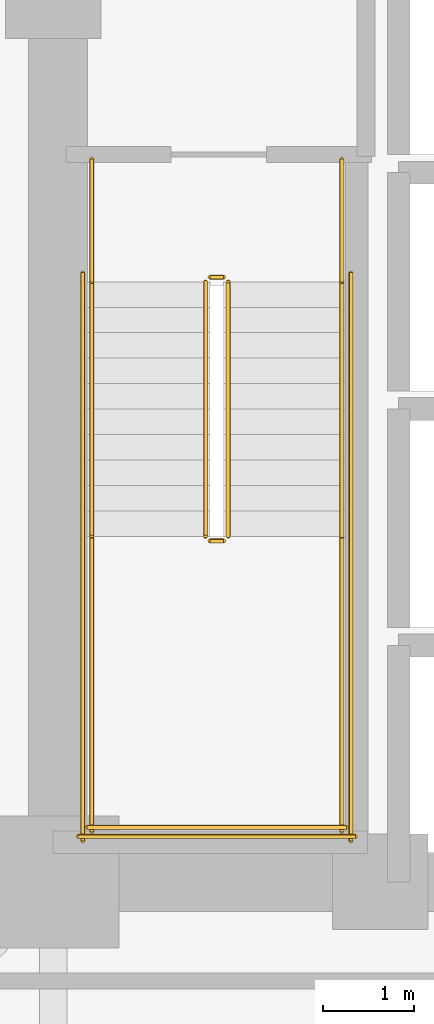
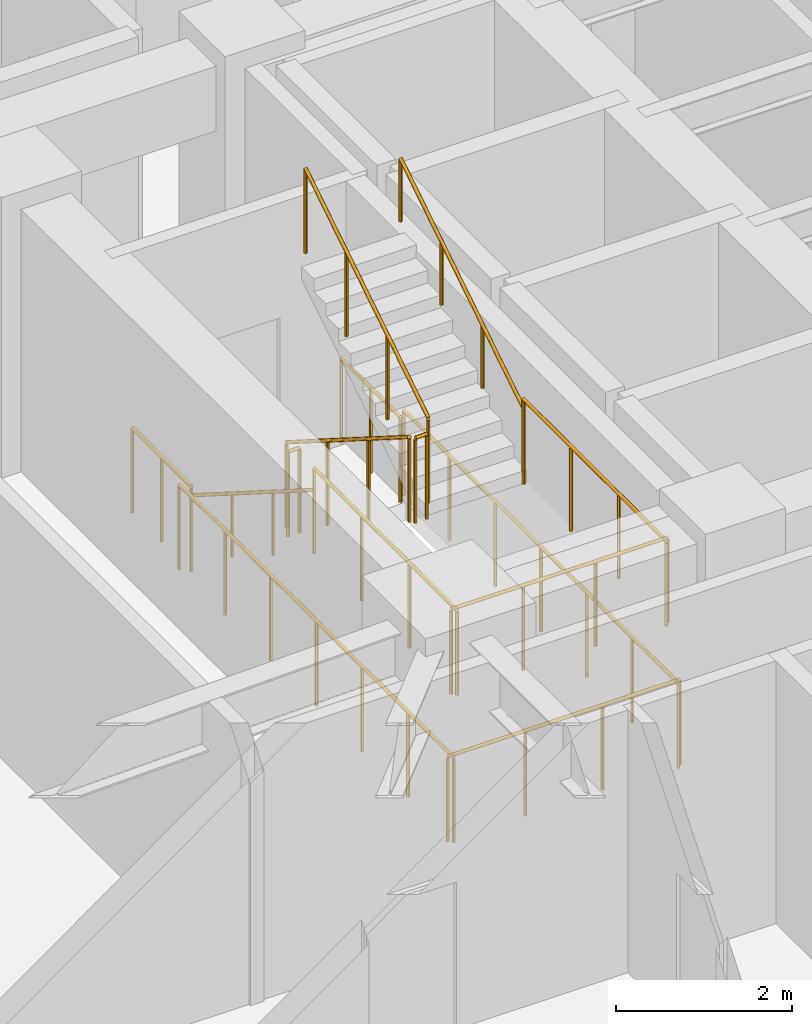
# One storey, part 10 of 11: 14 railings.
"""IFC4 building model written with IfcOpenShell, lengths in metres."""

from ifc_helpers import new_model, si_unit, direction, frame, origin, origin_2d, place, context, subcontext, project, spatial, circle, extrude, material, type_object, element, save


model = new_model("IFC4")

# Units and contexts
model_context = context("Model", 3, precision=1e-05, world=origin(), true_north=direction((0.0, 1.0)))
body_context = subcontext(model_context, "Body", "Model", "MODEL_VIEW")
ifc_project = project(units=[si_unit("LENGTHUNIT", "METRE"), si_unit("AREAUNIT", "SQUARE_METRE"), si_unit("VOLUMEUNIT", "CUBIC_METRE"), si_unit("PLANEANGLEUNIT", "RADIAN"), si_unit("MASSUNIT", "GRAM", prefix="KILO")], contexts=[model_context])

# Site, building, storey
site_placement = place(None, origin())
site = spatial("IfcSite", under=ifc_project, at=site_placement, CompositionType="ELEMENT")
building_placement = place(site_placement, origin())
building = spatial("IfcBuilding", under=site, at=building_placement, Name="Voryun Gate Residences", CompositionType="ELEMENT")
storey_placement = place(building_placement, frame((0.0, 0.0, 45.5)))
storey = spatial("IfcBuildingStorey", under=building, at=storey_placement, Name="L10", CompositionType="ELEMENT", Elevation=45.5)

# Railings
ifc_material_1 = material(Name="Painted steel", Category="steel")
railing_type_1 = type_object("IfcRailingType", Name="RAIL_STAIR_GUARD_1200", PredefinedType="GUARDRAIL", material=ifc_material_1)
railing_1_placement = place(storey_placement, frame((-17.52490234375, -0.800048828125, 0.17724609375)))
element("IfcRailing", 1, at=railing_1_placement, inside=storey, type_object=railing_type_1, Name="L10 ST-W1 stair guard 1", PredefinedType="GUARDRAIL", context=body_context, shape_type="SweptSolid", body=[
    extrude(circle(Radius=0.02392578125, at=origin_2d()), frame((0.0, 0.0, 1.17578125), z_axis=(0.0, -0.844908973607, 0.534910110503), x_axis=(1.0, 0.0, 0.0)), (0.0, 0.0, 1.0), 3.31396484375),
    extrude(circle(Radius=0.02099609375, at=origin_2d()), origin(), (0.0, 0.0, 1.0), 1.15185546875),
    extrude(circle(Radius=0.02099609375, at=origin_2d()), frame((0.0, -0.933349609375, 0.5908203125)), (0.0, 0.0, 1.0), 1.15185546875),
    extrude(circle(Radius=0.02099609375, at=origin_2d()), frame((0.0, -1.86669921875, 1.181884765625)), (0.0, 0.0, 1.0), 1.15185546875),
    extrude(circle(Radius=0.02099609375, at=origin_2d()), frame((0.0, -2.800048828125, 1.772705078125)), (0.0, 0.0, 1.0), 1.15185546875),
])
railing_2_placement = place(storey_placement, frame((-17.47509765625, -3.64990234375, 1.949951171875)))
element("IfcRailing", 2, at=railing_2_placement, inside=storey, type_object=railing_type_1, Name="L10 ST-W1 stair guard 2", PredefinedType="GUARDRAIL", context=body_context, shape_type="SweptSolid", body=[
    extrude(circle(Radius=0.02392578125, at=origin_2d()), frame((0.0, 0.0, 1.17578125), z_axis=(1.0, 0.0, 0.0), x_axis=(0.0, 1.0, 0.0)), (0.0, 0.0, 1.0), 0.150146484375),
    extrude(circle(Radius=0.02099609375, at=origin_2d()), origin(), (0.0, 0.0, 1.0), 1.15185546875),
    extrude(circle(Radius=0.02099609375, at=origin_2d()), frame((0.150146484375, 0.0, 0.0)), (0.0, 0.0, 1.0), 1.15185546875),
])
for number, where, name in (
    (3, (-18.77490234375, -3.60009765625, 1.949951171875), "L10 ST-W1 stair guard 3"),
    (4, (-16.02490234375, -3.60009765625, 1.949951171875), "L10 ST-W1 stair guard 4"),
):
    element("IfcRailing", number, at=place(storey_placement, frame(where)), inside=storey, type_object=railing_type_1, Name=name, PredefinedType="GUARDRAIL", context=body_context, shape_type="SweptSolid", body=[
        extrude(circle(Radius=0.02392578125, at=origin_2d()), frame((0.0, 0.0, 1.17578125), z_axis=(0.0, -1.0, 0.0), x_axis=(1.0, 0.0, 0.0)), (0.0, 0.0, 1.0), 3.25),
        extrude(circle(Radius=0.02099609375, at=origin_2d()), origin(), (0.0, 0.0, 1.0), 1.15185546875),
        extrude(circle(Radius=0.02099609375, at=origin_2d()), frame((0.0, -1.083251953125, 0.0)), (0.0, 0.0, 1.0), 1.15185546875),
        extrude(circle(Radius=0.02099609375, at=origin_2d()), frame((0.0, -2.166748046875, 0.0)), (0.0, 0.0, 1.0), 1.15185546875),
        extrude(circle(Radius=0.02099609375, at=origin_2d()), frame((0.0, -3.25, 0.0)), (0.0, 0.0, 1.0), 1.15185546875),
    ])
railing_3_placement = place(storey_placement, frame((-18.824951171875, -6.800048828125, 1.949951171875)))
element("IfcRailing", 5, at=railing_3_placement, inside=storey, type_object=railing_type_1, Name="L10 ST-W1 stair guard 5", PredefinedType="GUARDRAIL", context=body_context, shape_type="SweptSolid", body=[
    extrude(circle(Radius=0.02392578125, at=origin_2d()), frame((0.0, 0.0, 1.17578125), z_axis=(1.0, 0.0, 0.0), x_axis=(0.0, 1.0, 0.0)), (0.0, 0.0, 1.0), 2.849853515625),
    extrude(circle(Radius=0.02099609375, at=origin_2d()), origin(), (0.0, 0.0, 1.0), 1.15185546875),
    extrude(circle(Radius=0.02099609375, at=origin_2d()), frame((0.949951171875, 0.0, 0.0)), (0.0, 0.0, 1.0), 1.15185546875),
    extrude(circle(Radius=0.02099609375, at=origin_2d()), frame((1.89990234375, 0.0, 0.0)), (0.0, 0.0, 1.0), 1.15185546875),
    extrude(circle(Radius=0.02099609375, at=origin_2d()), frame((2.849853515625, 0.0, 0.0)), (0.0, 0.0, 1.0), 1.15185546875),
])
railing_4_placement = place(storey_placement, frame((-17.27490234375, -3.60009765625, 2.127197265625)))
element("IfcRailing", 6, at=railing_4_placement, inside=storey, type_object=railing_type_1, Name="L10 ST-W1 stair guard 6", PredefinedType="GUARDRAIL", context=body_context, shape_type="SweptSolid", body=[
    extrude(circle(Radius=0.02392578125, at=origin_2d()), frame((0.0, 0.0, 1.17578125), z_axis=(0.0, 0.844908973607, 0.534910110503), x_axis=(-1.0, 0.0, 0.0)), (0.0, 0.0, 1.0), 3.31396484375),
    extrude(circle(Radius=0.02099609375, at=origin_2d()), origin(), (0.0, 0.0, 1.0), 1.15185546875),
    extrude(circle(Radius=0.02099609375, at=origin_2d()), frame((0.0, 0.933349609375, 0.5908203125)), (0.0, 0.0, 1.0), 1.15185546875),
    extrude(circle(Radius=0.02099609375, at=origin_2d()), frame((0.0, 1.86669921875, 1.181884765625)), (0.0, 0.0, 1.0), 1.15185546875),
    extrude(circle(Radius=0.02099609375, at=origin_2d()), frame((0.0, 2.800048828125, 1.772705078125)), (0.0, 0.0, 1.0), 1.15185546875),
])
railing_5_placement = place(storey_placement, frame((-17.47509765625, -0.75, 0.0)))
element("IfcRailing", 7, at=railing_5_placement, inside=storey, type_object=railing_type_1, Name="L10 ST-W1 stair guard 7", PredefinedType="GUARDRAIL", context=body_context, shape_type="SweptSolid", body=[
    extrude(circle(Radius=0.02392578125, at=origin_2d()), frame((0.0, 0.0, 1.17578125), z_axis=(1.0, 0.0, 0.0), x_axis=(0.0, 1.0, 0.0)), (0.0, 0.0, 1.0), 0.150146484375),
    extrude(circle(Radius=0.02099609375, at=origin_2d()), origin(), (0.0, 0.0, 1.0), 1.15185546875),
    extrude(circle(Radius=0.02099609375, at=origin_2d()), frame((0.150146484375, 0.0, 0.0)), (0.0, 0.0, 1.0), 1.15185546875),
])
for number, where, name in (
    (8, (-18.77490234375, 0.550048828125, 0.0), "L10 ST-W1 stair guard 8"),
    (9, (-16.02490234375, 0.550048828125, 0.0), "L10 ST-W1 stair guard 9"),
):
    element("IfcRailing", number, at=place(storey_placement, frame(where)), inside=storey, type_object=railing_type_1, Name=name, PredefinedType="GUARDRAIL", context=body_context, shape_type="SweptSolid", body=[
        extrude(circle(Radius=0.02392578125, at=origin_2d()), frame((0.0, 0.0, 1.17578125), z_axis=(0.0, -1.0, 0.0), x_axis=(1.0, 0.0, 0.0)), (0.0, 0.0, 1.0), 1.35009765625),
        extrude(circle(Radius=0.02099609375, at=origin_2d()), origin(), (0.0, 0.0, 1.0), 1.15185546875),
        extrude(circle(Radius=0.02099609375, at=origin_2d()), frame((0.0, -0.675048828125, 0.0)), (0.0, 0.0, 1.0), 1.15185546875),
        extrude(circle(Radius=0.02099609375, at=origin_2d()), frame((0.0, -1.35009765625, 0.0)), (0.0, 0.0, 1.0), 1.15185546875),
    ])
for number, where, name in (
    (10, (-18.875, -0.699951171875, 0.0), "L10 ST-W1 stair guard 10"),
    (11, (-15.925048828125, -0.699951171875, 0.0), "L10 ST-W1 stair guard 11"),
):
    element("IfcRailing", number, at=place(storey_placement, frame(where)), inside=storey, type_object=railing_type_1, Name=name, PredefinedType="GUARDRAIL", context=body_context, shape_type="SweptSolid", body=[
        extrude(circle(Radius=0.02392578125, at=origin_2d()), frame((0.0, 0.0, 1.17578125), z_axis=(0.0, -1.0, 0.0), x_axis=(1.0, 0.0, 0.0)), (0.0, 0.0, 1.0), 6.25),
        extrude(circle(Radius=0.02099609375, at=origin_2d()), origin(), (0.0, 0.0, 1.0), 1.15185546875),
        extrude(circle(Radius=0.02099609375, at=origin_2d()), frame((0.0, -1.041748046875, 0.0)), (0.0, 0.0, 1.0), 1.15185546875),
        extrude(circle(Radius=0.02099609375, at=origin_2d()), frame((0.0, -2.083251953125, 0.0)), (0.0, 0.0, 1.0), 1.15185546875),
        extrude(circle(Radius=0.02099609375, at=origin_2d()), frame((0.0, -3.125, 0.0)), (0.0, 0.0, 1.0), 1.15185546875),
        extrude(circle(Radius=0.02099609375, at=origin_2d()), frame((0.0, -4.166748046875, 0.0)), (0.0, 0.0, 1.0), 1.15185546875),
        extrude(circle(Radius=0.02099609375, at=origin_2d()), frame((0.0, -5.208251953125, 0.0)), (0.0, 0.0, 1.0), 1.15185546875),
        extrude(circle(Radius=0.02099609375, at=origin_2d()), frame((0.0, -6.25, 0.0)), (0.0, 0.0, 1.0), 1.15185546875),
    ])
railing_6_placement = place(storey_placement, frame((-18.925048828125, -6.89990234375, 0.0)))
element("IfcRailing", 12, at=railing_6_placement, inside=storey, type_object=railing_type_1, Name="L10 ST-W1 stair guard 12", PredefinedType="GUARDRAIL", context=body_context, shape_type="SweptSolid", body=[
    extrude(circle(Radius=0.02392578125, at=origin_2d()), frame((0.0, 0.0, 1.17578125), z_axis=(1.0, 0.0, 0.0), x_axis=(0.0, 1.0, 0.0)), (0.0, 0.0, 1.0), 3.050048828125),
    extrude(circle(Radius=0.02099609375, at=origin_2d()), origin(), (0.0, 0.0, 1.0), 1.15185546875),
    extrude(circle(Radius=0.02099609375, at=origin_2d()), frame((1.0166015625, 0.0, 0.0)), (0.0, 0.0, 1.0), 1.15185546875),
    extrude(circle(Radius=0.02099609375, at=origin_2d()), frame((2.033447265625, 0.0, 0.0)), (0.0, 0.0, 1.0), 1.15185546875),
    extrude(circle(Radius=0.02099609375, at=origin_2d()), frame((3.050048828125, 0.0, 0.0)), (0.0, 0.0, 1.0), 1.15185546875),
])
ifc_material_2 = material(Name="Painted steel", Category="steel")
railing_type_2 = type_object("IfcRailingType", Name="RAIL_STAIR_HANDRAIL_900", PredefinedType="HANDRAIL", material=ifc_material_2)
railing_7_placement = place(storey_placement, frame((-18.77490234375, -0.800048828125, 0.17724609375)))
element("IfcRailing", 13, at=railing_7_placement, inside=storey, type_object=railing_type_2, Name="L10 ST-W1 stair handrail 1", PredefinedType="HANDRAIL", context=body_context, shape_type="SweptSolid", body=[
    extrude(circle(Radius=0.02392578125, at=origin_2d()), frame((0.0, 0.0, 0.8759765625), z_axis=(0.0, -0.844908973607, 0.534910110503), x_axis=(1.0, 0.0, 0.0)), (0.0, 0.0, 1.0), 3.31396484375),
    extrude(circle(Radius=0.02099609375, at=origin_2d()), origin(), (0.0, 0.0, 1.0), 0.851806640625),
    extrude(circle(Radius=0.02099609375, at=origin_2d()), frame((0.0, -0.933349609375, 0.5908203125)), (0.0, 0.0, 1.0), 0.851806640625),
    extrude(circle(Radius=0.02099609375, at=origin_2d()), frame((0.0, -1.86669921875, 1.181884765625)), (0.0, 0.0, 1.0), 0.851806640625),
    extrude(circle(Radius=0.02099609375, at=origin_2d()), frame((0.0, -2.800048828125, 1.772705078125)), (0.0, 0.0, 1.0), 0.851806640625),
])
railing_8_placement = place(storey_placement, frame((-16.02490234375, -3.60009765625, 2.127197265625)))
element("IfcRailing", 14, at=railing_8_placement, inside=storey, type_object=railing_type_2, Name="L10 ST-W1 stair handrail 2", PredefinedType="HANDRAIL", context=body_context, shape_type="SweptSolid", body=[
    extrude(circle(Radius=0.02392578125, at=origin_2d()), frame((0.0, 0.0, 0.8759765625), z_axis=(0.0, 0.844908973607, 0.534910110503), x_axis=(-1.0, 0.0, 0.0)), (0.0, 0.0, 1.0), 3.31396484375),
    extrude(circle(Radius=0.02099609375, at=origin_2d()), origin(), (0.0, 0.0, 1.0), 0.851806640625),
    extrude(circle(Radius=0.02099609375, at=origin_2d()), frame((0.0, 0.933349609375, 0.5908203125)), (0.0, 0.0, 1.0), 0.851806640625),
    extrude(circle(Radius=0.02099609375, at=origin_2d()), frame((0.0, 1.86669921875, 1.181884765625)), (0.0, 0.0, 1.0), 0.851806640625),
    extrude(circle(Radius=0.02099609375, at=origin_2d()), frame((0.0, 2.800048828125, 1.772705078125)), (0.0, 0.0, 1.0), 0.851806640625),
])

save(model, "model.ifc")
